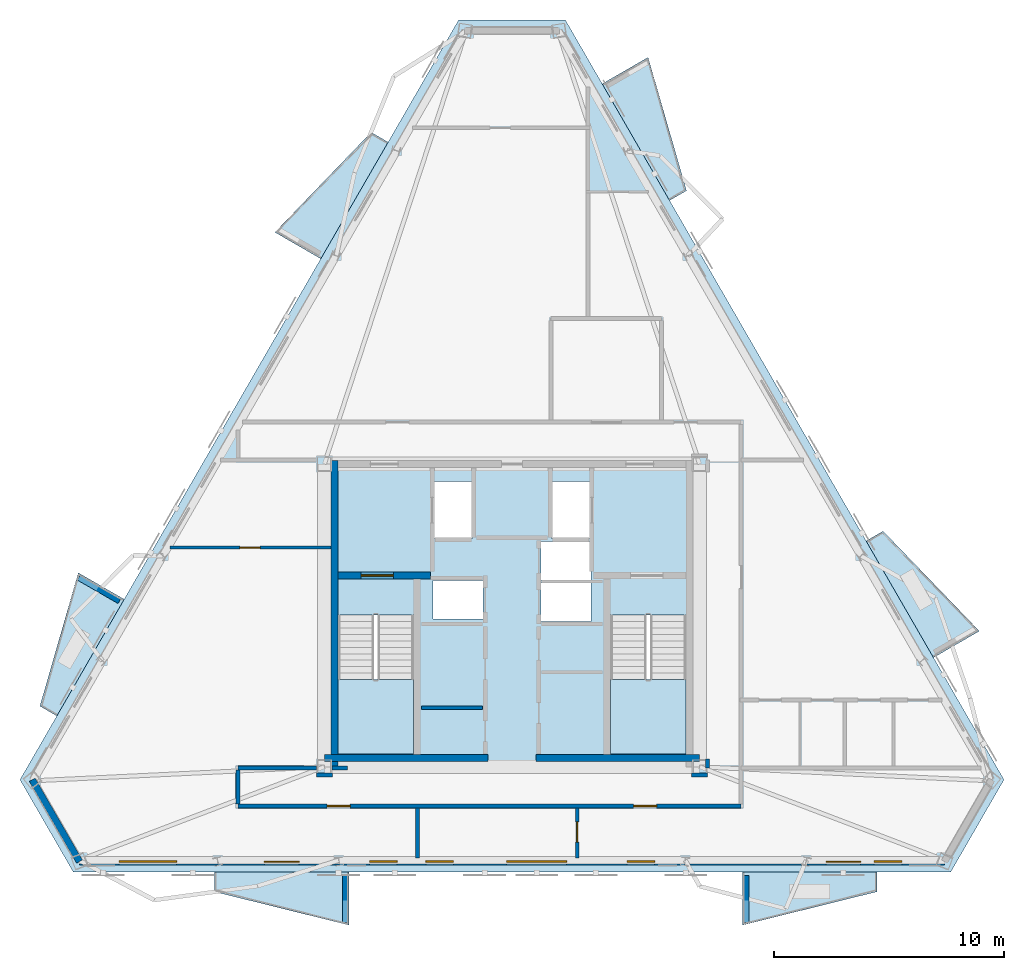
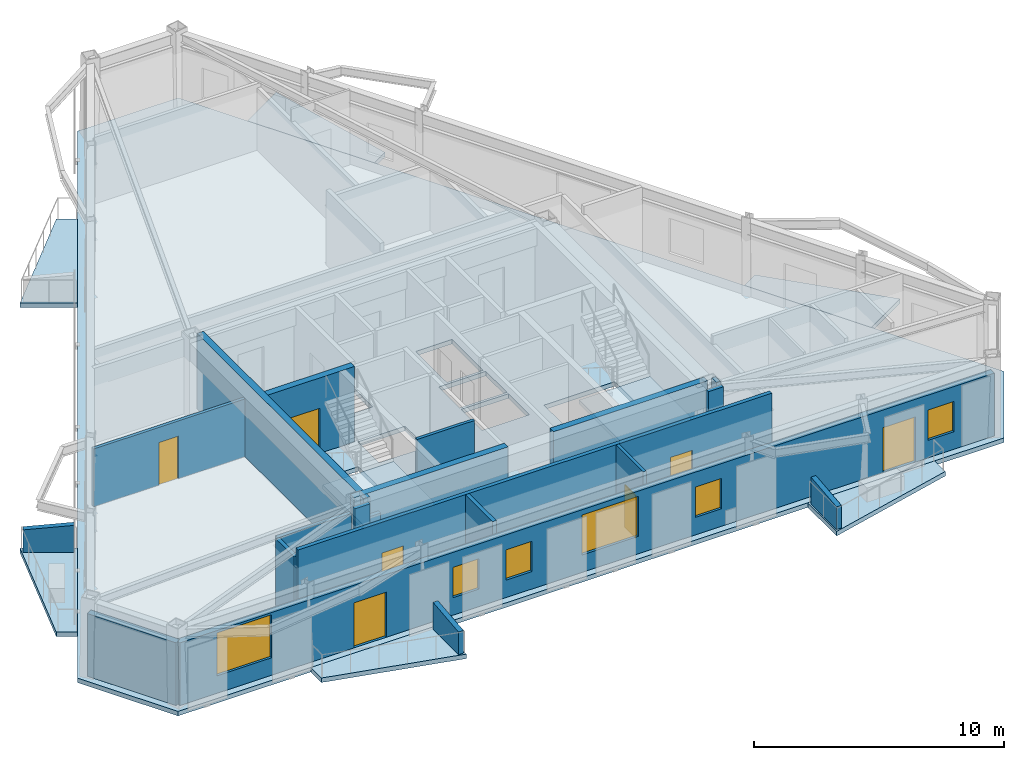
# One storey, part 2 of 9: 20 walls, 9 slabs, 7 doors, 6 windows, 13 openings, 2 elements without a shape of their own.
"""IFC4 building model written with IfcOpenShell, lengths in metres."""

from ifc_helpers import new_model, si_unit, direction, frame, frame_2d, origin, place, context, subcontext, project, spatial, polyline, rectangle, outline, extrude, material, layer, layer_set, type_object, element, fill, aggregate, save


model = new_model("IFC4")

# Units and contexts
model_context = context("Model", 3, precision=1e-05, world=origin(), true_north=direction((0.0, 1.0)))
body_context = subcontext(model_context, "Body", "Model", "MODEL_VIEW")
ifc_project = project(units=[si_unit("LENGTHUNIT", "METRE"), si_unit("AREAUNIT", "SQUARE_METRE"), si_unit("VOLUMEUNIT", "CUBIC_METRE"), si_unit("PLANEANGLEUNIT", "RADIAN"), si_unit("MASSUNIT", "GRAM", prefix="KILO")], contexts=[model_context])

# Site, building, storey
site_placement = place(None, origin())
site = spatial("IfcSite", under=ifc_project, at=site_placement, CompositionType="ELEMENT")
building_placement = place(site_placement, origin())
building = spatial("IfcBuilding", under=site, at=building_placement, Name="Oramaril Tower", CompositionType="ELEMENT")
storey_placement = place(building_placement, frame((0.0, 0.0, 292.800048828125)))
storey = spatial("IfcBuildingStorey", under=building, at=storey_placement, Name="L77", CompositionType="ELEMENT", Elevation=292.800048828125)

# Slabs
ifc_material_1 = material(Name="Concrete C40/50", Category="concrete")
ifc_layer_1 = layer(ifc_material_1, 0.199951171875)
ifc_layer_set_1 = layer_set([ifc_layer_1], Name="SLT-BAL20")
slab_type_1 = type_object("IfcSlabType", Name="SLT-BAL20", PredefinedType="FLOOR", material=ifc_layer_set_1)
slab_1_placement = place(storey_placement, frame((0.0, 0.0, -0.219970703125)))
element("IfcSlab", 1, at=slab_1_placement, inside=storey, type_object=slab_type_1, Name="L77 Cantilevered Balcony Slab L77-BAL-S1", PredefinedType="FLOOR", context=body_context, shape_type="SweptSolid", body=[
    extrude(outline(polyline([(24.57421875, 6.426513671875), (30.42431640625, 6.426513671875), (30.42431640625, 4.12451171875), (24.57421875, 5.57470703125), (24.57421875, 6.426513671875)])), origin(), (0.0, 0.0, 1.0), 0.219970703125),
])
slab_2_placement = place(storey_placement, frame((0.0, 0.0, -0.219970703125)))
element("IfcSlab", 2, at=slab_2_placement, inside=storey, type_object=slab_type_1, Name="L77 Cantilevered Balcony Slab L77-BAL-NE2", PredefinedType="FLOOR", context=body_context, shape_type="SweptSolid", body=[
    extrude(outline(polyline([(44.34130859375, 35.59765625), (41.416259765625, 40.663818359375), (43.409912109375, 41.814697265625), (45.0791015625, 36.023681640625), (44.34130859375, 35.59765625)])), origin(), (0.0, 0.0, 1.0), 0.219970703125),
])
slab_3_placement = place(storey_placement, frame((0.0, 0.0, -0.219970703125)))
element("IfcSlab", 3, at=slab_3_placement, inside=storey, type_object=slab_type_1, Name="L77 Cantilevered Balcony Slab L77-BAL-NW1", PredefinedType="FLOOR", context=body_context, shape_type="SweptSolid", body=[
    extrude(outline(polyline([(32.121337890625, 38.130615234375), (29.1962890625, 33.064453125), (27.20263671875, 34.21533203125), (31.383544921875, 38.556640625), (32.121337890625, 38.130615234375)])), origin(), (0.0, 0.0, 1.0), 0.219970703125),
])
ifc_material_2 = material(Name="Concrete C50/60", Category="concrete")
ifc_layer_2 = layer(ifc_material_2, 0.219970703125)
ifc_layer_set_2 = layer_set([ifc_layer_2], Name="SLT-FLR22")
slab_type_2 = type_object("IfcSlabType", Name="SLT-FLR22", PredefinedType="FLOOR", material=ifc_layer_set_2)
slab_4_placement = place(storey_placement, frame((0.0, 0.0, -0.219970703125)))
element("IfcSlab", 4, at=slab_4_placement, inside=storey, type_object=slab_type_2, Name="L77 Structural Floor Slab", PredefinedType="FLOOR", context=body_context, shape_type="SweptSolid", body=[
    extrude(outline(polyline([(16.13134765625, 10.439208984375), (18.44921875, 6.424560546875), (56.55078125, 6.424560546875), (58.86865234375, 10.439208984375), (39.81787109375, 43.43603515625), (35.18212890625, 43.43603515625), (16.13134765625, 10.439208984375)]), holes=[polyline([(29.949951171875, 17.58935546875), (29.949951171875, 11.550048828125), (33.219970703125, 11.550048828125), (33.219970703125, 17.58935546875), (29.949951171875, 17.58935546875)]), polyline([(41.780029296875, 17.58935546875), (41.780029296875, 11.550048828125), (45.050048828125, 11.550048828125), (45.050048828125, 17.58935546875), (41.780029296875, 17.58935546875)]), polyline([(34.110107421875, 20.909912109375), (35.7900390625, 20.909912109375), (35.7900390625, 23.389892578125), (34.110107421875, 23.389892578125), (34.110107421875, 20.909912109375)]), polyline([(39.2099609375, 20.909912109375), (40.889892578125, 20.909912109375), (40.889892578125, 23.389892578125), (39.2099609375, 23.389892578125), (39.2099609375, 20.909912109375)]), polyline([(34.06005859375, 17.409912109375), (36.239990234375, 17.409912109375), (36.239990234375, 19.090087890625), (34.06005859375, 19.090087890625), (34.06005859375, 17.409912109375)]), polyline([(38.760009765625, 17.31005859375), (40.93994140625, 17.31005859375), (40.93994140625, 18.989990234375), (38.760009765625, 18.989990234375), (38.760009765625, 17.31005859375)]), polyline([(38.760009765625, 19.110107421875), (40.93994140625, 19.110107421875), (40.93994140625, 20.7900390625), (38.760009765625, 20.7900390625), (38.760009765625, 19.110107421875)])]), origin(), (0.0, 0.0, 1.0), 0.219970703125),
])

# Stair, slab
ifc_material_3 = material(Name="Concrete C50/60", Category="concrete")
stair_type = type_object("IfcStairType", Name="STT-DG-3900", PredefinedType="HALF_TURN_STAIR", material=ifc_material_3)
stair_1_placement = place(storey_placement, origin())
stair_1 = element("IfcStair", 5, at=stair_1_placement, inside=storey, type_object=stair_type, Name="L77 Protected PFP Exit Stair ST-1", PredefinedType="HALF_TURN_STAIR")
ifc_material_4 = material(Name="Concrete C50/60", Category="concrete")
ifc_layer_3 = layer(ifc_material_4, 0.199951171875)
ifc_layer_set_3 = layer_set([ifc_layer_3], Name="SLT-LND20")
slab_type_3 = type_object("IfcSlabType", Name="SLT-LND20", PredefinedType="LANDING", material=ifc_layer_set_3)
slab_5_placement = place(storey_placement, frame((0.0, 0.0, 1.75)))
slab_5 = element("IfcSlab", 6, at=slab_5_placement, type_object=slab_type_3, Name="ST-1 landing 1", PredefinedType="LANDING", context=body_context, shape_type="SweptSolid", body=[
    extrude(outline(polyline([(29.949951171875, 14.7900390625), (29.949951171875, 11.550048828125), (33.219970703125, 11.550048828125), (33.219970703125, 14.7900390625), (29.949951171875, 14.7900390625)])), origin(), (0.0, 0.0, 1.0), 0.199951171875),
])
aggregate(stair_1, [slab_5])

stair_2_placement = place(storey_placement, origin())
stair_2 = element("IfcStair", 7, at=stair_2_placement, inside=storey, type_object=stair_type, Name="L77 Protected PFP Exit Stair ST-2", PredefinedType="HALF_TURN_STAIR")
slab_6_placement = place(storey_placement, frame((0.0, 0.0, 1.75)))
slab_6 = element("IfcSlab", 8, at=slab_6_placement, type_object=slab_type_3, Name="ST-2 landing 1", PredefinedType="LANDING", context=body_context, shape_type="SweptSolid", body=[
    extrude(outline(polyline([(41.780029296875, 14.7900390625), (41.780029296875, 11.550048828125), (45.050048828125, 11.550048828125), (45.050048828125, 14.7900390625), (41.780029296875, 14.7900390625)])), origin(), (0.0, 0.0, 1.0), 0.199951171875),
])
aggregate(stair_2, [slab_6])

# Slabs
ifc_material_5 = material(Name="Concrete C40/50", Category="concrete")
ifc_layer_4 = layer(ifc_material_5, 0.18994140625)
ifc_layer_set_4 = layer_set([ifc_layer_4], Name="SLT-PLN19")
slab_type_4 = type_object("IfcSlabType", Name="SLT-PLN19", PredefinedType="FLOOR", material=ifc_layer_set_4)
slab_7_placement = place(storey_placement, frame((0.0, 0.0, -0.219970703125)))
element("IfcSlab", 9, at=slab_7_placement, inside=storey, type_object=slab_type_4, Name="L77 Tree Planter Balcony Slab L77-BAL-S2", PredefinedType="FLOOR", context=body_context, shape_type="SweptSolid", body=[
    extrude(outline(polyline([(47.500732421875, 6.426513671875), (53.3505859375, 6.426513671875), (53.3505859375, 5.57470703125), (47.500732421875, 4.12451171875), (47.500732421875, 6.426513671875)])), origin(), (0.0, 0.0, 1.0), 0.219970703125),
])
slab_8_placement = place(storey_placement, frame((0.0, 0.0, -0.219970703125)))
element("IfcSlab", 10, at=slab_8_placement, inside=storey, type_object=slab_type_4, Name="L77 Tree Planter Balcony Slab L77-BAL-NE1", PredefinedType="FLOOR", context=body_context, shape_type="SweptSolid", body=[
    extrude(outline(polyline([(55.804443359375, 15.74267578125), (52.87939453125, 20.80908203125), (53.6171875, 21.235107421875), (57.798095703125, 16.893798828125), (55.804443359375, 15.74267578125)])), origin(), (0.0, 0.0, 1.0), 0.219970703125),
])
slab_9_placement = place(storey_placement, frame((0.0, 0.0, -0.219970703125)))
element("IfcSlab", 11, at=slab_9_placement, inside=storey, type_object=slab_type_4, Name="L77 Tree Planter Balcony Slab L77-BAL-NW2", PredefinedType="FLOOR", context=body_context, shape_type="SweptSolid", body=[
    extrude(outline(polyline([(20.658203125, 18.27587890625), (17.733154296875, 13.209716796875), (16.995361328125, 13.635498046875), (18.66455078125, 19.4267578125), (20.658203125, 18.27587890625)])), origin(), (0.0, 0.0, 1.0), 0.219970703125),
])

# Wall
ifc_material_6 = material(Name="Warm Cream Limestone", Category="masonry")
ifc_layer_5 = layer(ifc_material_6, 0.2900390625)
ifc_layer_set_5 = layer_set([ifc_layer_5], Name="WT-EXT29")
wall_type_1 = type_object("IfcWallType", Name="WT-EXT29", PredefinedType="SOLIDWALL", material=ifc_layer_set_5)
wall_1_placement = place(storey_placement, frame((16.66259765625, 10.439208984375, 0.0), z_axis=(0.0, 0.0, 1.0), x_axis=(0.499990189338, -0.866031067899, 0.0)))
element("IfcWall", 12, at=wall_1_placement, inside=storey, type_object=wall_type_1, Name="L77 Tower Limestone Facade Wall 1M", PredefinedType="SOLIDWALL", context=body_context, shape_type="SweptSolid", body=[
    extrude(rectangle(XDim=4.1044921875, YDim=0.2900390625, at=frame_2d((2.05224609375, 0.0))), origin(), (0.0, 0.0, 1.0), 3.057861328125),
])

# Wall, openings, doors, windows
wall_2_placement = place(storey_placement, frame((18.71484375, 6.884521484375, 0.0), z_axis=(0.0, 0.0, 1.0), x_axis=(1.0, 0.0, 0.0)))
wall_2 = element("IfcWall", 13, at=wall_2_placement, inside=storey, type_object=wall_type_1, Name="L77 Tower Limestone Facade Wall 2M", PredefinedType="SOLIDWALL", context=body_context, shape_type="SweptSolid", body=[
    extrude(rectangle(XDim=37.5703125, YDim=0.2900390625, at=frame_2d((18.78515625, 0.0))), origin(), (0.0, 0.0, 1.0), 3.057861328125),
])
opening_1_placement = place(wall_2_placement, frame((8.034423828125, 0.0, 0.0)))
opening_1 = element("IfcOpeningElement", 14, at=opening_1_placement, cuts=wall_2, Name="Opening D-L77-BAL-S1", PredefinedType="OPENING", context=body_context, shape_type="SweptSolid", body=[
    extrude(rectangle(XDim=1.5, YDim=2.199951171875, at=frame_2d((0.75, 1.10009765625))), frame((0.0, 0.14501953125, 0.0), z_axis=(0.0, -1.0, 0.0), x_axis=(1.0, 0.0, 0.0)), (0.0, 0.0, 1.0), 0.2900390625),
])
opening_2_placement = place(wall_2_placement, frame((32.430908203125, 0.0, 0.0)))
opening_2 = element("IfcOpeningElement", 15, at=opening_2_placement, cuts=wall_2, Name="Opening D-L77-BAL-S2", PredefinedType="OPENING", context=body_context, shape_type="SweptSolid", body=[
    extrude(rectangle(XDim=1.5, YDim=2.199951171875, at=frame_2d((0.75, 1.10009765625))), frame((0.0, 0.14501953125, 0.0), z_axis=(0.0, -1.0, 0.0), x_axis=(1.0, 0.0, 0.0)), (0.0, 0.0, 1.0), 0.2900390625),
])
opening_3_placement = place(wall_2_placement, frame((23.7802734375, 0.0, 0.85009765625)))
opening_3 = element("IfcOpeningElement", 16, at=opening_3_placement, cuts=wall_2, Name="Opening WN-09", PredefinedType="OPENING", context=body_context, shape_type="SweptSolid", body=[
    extrude(rectangle(XDim=1.199951171875, YDim=1.47998046875, at=frame_2d((0.60009765625, 0.739990234375))), frame((0.0, 0.14501953125, 0.0), z_axis=(0.0, -1.0, 0.0), x_axis=(1.0, 0.0, 0.0)), (0.0, 0.0, 1.0), 0.2900390625),
])
opening_4_placement = place(wall_2_placement, frame((34.514892578125, 0.0, 0.85009765625)))
opening_4 = element("IfcOpeningElement", 17, at=opening_4_placement, cuts=wall_2, Name="Opening WN-09", PredefinedType="OPENING", context=body_context, shape_type="SweptSolid", body=[
    extrude(rectangle(XDim=1.199951171875, YDim=1.47998046875, at=frame_2d((0.60009765625, 0.739990234375))), frame((0.0, 0.14501953125, 0.0), z_axis=(0.0, -1.0, 0.0), x_axis=(1.0, 0.0, 0.0)), (0.0, 0.0, 1.0), 0.2900390625),
])
opening_5_placement = place(wall_2_placement, frame((15.04248046875, 0.0, 0.85009765625)))
opening_5 = element("IfcOpeningElement", 18, at=opening_5_placement, cuts=wall_2, Name="Opening WN-09", PredefinedType="OPENING", context=body_context, shape_type="SweptSolid", body=[
    extrude(rectangle(XDim=1.199951171875, YDim=1.47998046875, at=frame_2d((0.60009765625, 0.739990234375))), frame((0.0, 0.14501953125, 0.0), z_axis=(0.0, -1.0, 0.0), x_axis=(1.0, 0.0, 0.0)), (0.0, 0.0, 1.0), 0.2900390625),
])
opening_6_placement = place(wall_2_placement, frame((18.553955078125, 0.0, 0.85009765625)))
opening_6 = element("IfcOpeningElement", 19, at=opening_6_placement, cuts=wall_2, Name="Opening WN-02", PredefinedType="OPENING", context=body_context, shape_type="SweptSolid", body=[
    extrude(rectangle(XDim=2.60009765625, YDim=1.949951171875, at=frame_2d((1.300048828125, 0.97509765625))), frame((0.0, 0.14501953125, 0.0), z_axis=(0.0, -1.0, 0.0), x_axis=(1.0, 0.0, 0.0)), (0.0, 0.0, 1.0), 0.2900390625),
])
opening_7_placement = place(wall_2_placement, frame((1.723388671875, 0.0, 0.85009765625)))
opening_7 = element("IfcOpeningElement", 20, at=opening_7_placement, cuts=wall_2, Name="Opening WN-11", PredefinedType="OPENING", context=body_context, shape_type="SweptSolid", body=[
    extrude(rectangle(XDim=2.5, YDim=2.097900390625, at=frame_2d((1.25, 1.048828125))), frame((0.0, 0.14501953125, 0.0), z_axis=(0.0, -1.0, 0.0), x_axis=(1.0, 0.0, 0.0)), (0.0, 0.0, 1.0), 0.2900390625),
])
opening_8_placement = place(wall_2_placement, frame((12.599365234375, 0.0, 0.85009765625)))
opening_8 = element("IfcOpeningElement", 21, at=opening_8_placement, cuts=wall_2, Name="Opening WN-09", PredefinedType="OPENING", context=body_context, shape_type="SweptSolid", body=[
    extrude(rectangle(XDim=1.199951171875, YDim=1.47998046875, at=frame_2d((0.60009765625, 0.739990234375))), frame((0.0, 0.14501953125, 0.0), z_axis=(0.0, -1.0, 0.0), x_axis=(1.0, 0.0, 0.0)), (0.0, 0.0, 1.0), 0.2900390625),
])
ifc_material_7 = material(Name="Anodised Aluminium 6063-T6", Category="aluminium")
door_type_1 = type_object("IfcDoorType", Name="DT-BAL", OperationType="NOTDEFINED", PredefinedType="DOOR", material=ifc_material_7)
door_1_placement = place(opening_1_placement, origin())
door_1 = element("IfcDoor", 22, at=door_1_placement, inside=storey, type_object=door_type_1, Name="L77 Balcony Glazed Door L77-BAL-S1", OperationType="SINGLE_SWING_RIGHT", OverallHeight=2.199951171875, OverallWidth=1.5, PredefinedType="DOOR", context=body_context, shape_type="SweptSolid", body=[
    extrude(rectangle(XDim=1.5, YDim=2.199951171875, at=frame_2d((0.75, 1.10009765625))), frame((0.0, 0.02490234375, 0.0), z_axis=(0.0, -1.0, 0.0), x_axis=(1.0, 0.0, 0.0)), (0.0, 0.0, 1.0), 0.050048828125),
])
fill(opening_1, door_1)
door_2_placement = place(opening_2_placement, origin())
door_2 = element("IfcDoor", 23, at=door_2_placement, inside=storey, type_object=door_type_1, Name="L77 Balcony Glazed Door L77-BAL-S2", OperationType="SINGLE_SWING_LEFT", OverallHeight=2.199951171875, OverallWidth=1.5, PredefinedType="DOOR", context=body_context, shape_type="SweptSolid", body=[
    extrude(rectangle(XDim=1.5, YDim=2.199951171875, at=frame_2d((0.75, 1.10009765625))), frame((0.0, 0.02490234375, 0.0), z_axis=(0.0, -1.0, 0.0), x_axis=(1.0, 0.0, 0.0)), (0.0, 0.0, 1.0), 0.050048828125),
])
fill(opening_2, door_2)
ifc_material_8 = material(Name="Coastal Low-E Insulated Glass", Category="glass")
window_type_1 = type_object("IfcWindowType", Name="WNT-02", PartitioningType="SINGLE_PANEL", PredefinedType="WINDOW", material=ifc_material_8)
window_1_placement = place(opening_6_placement, origin())
window_1 = element("IfcWindow", 24, at=window_1_placement, inside=storey, type_object=window_type_1, Name="L77 Chicago Bay Window WN-02", OverallHeight=1.949951171875, OverallWidth=2.60009765625, PartitioningType="SINGLE_PANEL", PredefinedType="WINDOW", context=body_context, shape_type="SweptSolid", body=[
    extrude(rectangle(XDim=2.60009765625, YDim=1.949951171875, at=frame_2d((1.300048828125, 0.97509765625))), frame((0.0, 0.030029296875, 0.0), z_axis=(0.0, -1.0, 0.0), x_axis=(1.0, 0.0, 0.0)), (0.0, 0.0, 1.0), 0.06005859375),
])
fill(opening_6, window_1)
ifc_material_9 = material(Name="Coastal Low-E Insulated Glass", Category="glass")
window_type_2 = type_object("IfcWindowType", Name="WNT-09", PartitioningType="SINGLE_PANEL", PredefinedType="WINDOW", material=ifc_material_9)
window_2_placement = place(opening_3_placement, origin())
window_2 = element("IfcWindow", 25, at=window_2_placement, inside=storey, type_object=window_type_2, Name="L77 Chicago Bay Window WN-09", OverallHeight=1.47998046875, OverallWidth=1.199951171875, PartitioningType="SINGLE_PANEL", PredefinedType="WINDOW", context=body_context, shape_type="SweptSolid", body=[
    extrude(rectangle(XDim=1.199951171875, YDim=1.47998046875, at=frame_2d((0.60009765625, 0.739990234375))), frame((0.0, 0.030029296875, 0.0), z_axis=(0.0, -1.0, 0.0), x_axis=(1.0, 0.0, 0.0)), (0.0, 0.0, 1.0), 0.06005859375),
])
fill(opening_3, window_2)
window_3_placement = place(opening_4_placement, origin())
window_3 = element("IfcWindow", 26, at=window_3_placement, inside=storey, type_object=window_type_2, Name="L77 Chicago Bay Window WN-09", OverallHeight=1.47998046875, OverallWidth=1.199951171875, PartitioningType="SINGLE_PANEL", PredefinedType="WINDOW", context=body_context, shape_type="SweptSolid", body=[
    extrude(rectangle(XDim=1.199951171875, YDim=1.47998046875, at=frame_2d((0.60009765625, 0.739990234375))), frame((0.0, 0.030029296875, 0.0), z_axis=(0.0, -1.0, 0.0), x_axis=(1.0, 0.0, 0.0)), (0.0, 0.0, 1.0), 0.06005859375),
])
fill(opening_4, window_3)
window_4_placement = place(opening_5_placement, origin())
window_4 = element("IfcWindow", 27, at=window_4_placement, inside=storey, type_object=window_type_2, Name="L77 Chicago Bay Window WN-09", OverallHeight=1.47998046875, OverallWidth=1.199951171875, PartitioningType="SINGLE_PANEL", PredefinedType="WINDOW", context=body_context, shape_type="SweptSolid", body=[
    extrude(rectangle(XDim=1.199951171875, YDim=1.47998046875, at=frame_2d((0.60009765625, 0.739990234375))), frame((0.0, 0.030029296875, 0.0), z_axis=(0.0, -1.0, 0.0), x_axis=(1.0, 0.0, 0.0)), (0.0, 0.0, 1.0), 0.06005859375),
])
fill(opening_5, window_4)
window_5_placement = place(opening_8_placement, origin())
window_5 = element("IfcWindow", 28, at=window_5_placement, inside=storey, type_object=window_type_2, Name="L77 Chicago Bay Window WN-09", OverallHeight=1.47998046875, OverallWidth=1.199951171875, PartitioningType="SINGLE_PANEL", PredefinedType="WINDOW", context=body_context, shape_type="SweptSolid", body=[
    extrude(rectangle(XDim=1.199951171875, YDim=1.47998046875, at=frame_2d((0.60009765625, 0.739990234375))), frame((0.0, 0.030029296875, 0.0), z_axis=(0.0, -1.0, 0.0), x_axis=(1.0, 0.0, 0.0)), (0.0, 0.0, 1.0), 0.06005859375),
])
fill(opening_8, window_5)
ifc_material_10 = material(Name="Coastal Low-E Insulated Glass", Category="glass")
window_type_3 = type_object("IfcWindowType", Name="WNT-11", PartitioningType="SINGLE_PANEL", PredefinedType="WINDOW", material=ifc_material_10)
window_6_placement = place(opening_7_placement, origin())
window_6 = element("IfcWindow", 29, at=window_6_placement, inside=storey, type_object=window_type_3, Name="L77 Chicago Bay Window WN-11", OverallHeight=2.097900390625, OverallWidth=2.5, PartitioningType="SINGLE_PANEL", PredefinedType="WINDOW", context=body_context, shape_type="SweptSolid", body=[
    extrude(rectangle(XDim=2.5, YDim=2.097900390625, at=frame_2d((1.25, 1.048828125))), frame((0.0, 0.030029296875, 0.0), z_axis=(0.0, -1.0, 0.0), x_axis=(1.0, 0.0, 0.0)), (0.0, 0.0, 1.0), 0.06005859375),
])
fill(opening_7, window_6)

# Walls
ifc_material_11 = material(Name="Concrete C40/50", Category="concrete")
ifc_layer_6 = layer(ifc_material_11, 0.22998046875)
ifc_layer_set_6 = layer_set([ifc_layer_6], Name="WT-PRP23")
wall_type_2 = type_object("IfcWallType", Name="WT-PRP23", PredefinedType="PARAPET", material=ifc_layer_set_6)
for number, where, z_axis, x_axis, name in (
    (30, (30.244384765625, 6.28662109375, 0.0), (0.0, 0.0, 1.0), (0.0, -1.0, 0.0), "L77 Trapezoidal Balcony Frame Cheek L77-BAL-S1-R"),
    (31, (47.6806640625, 6.28662109375, 0.0), (0.0, 0.0, 1.0), (0.0, -1.0, 0.0), "L77 Trapezoidal Balcony Frame Cheek L77-BAL-S2-L"),
    (32, (20.447021484375, 18.18994140625, 0.0), (0.0, 0.0, 1.0), (-0.866042246008, 0.499970827278, 0.0), "L77 Trapezoidal Balcony Frame Cheek L77-BAL-NW2-L"),
):
    element("IfcWall", number, at=place(storey_placement, frame(where, z_axis=z_axis, x_axis=x_axis)), inside=storey, type_object=wall_type_2, Name=name, PredefinedType="PARAPET", context=body_context, shape_type="SweptSolid", body=[
        extrude(outline(polyline([(0.0, 0.0), (2.0419921875, 0.0), (2.0419921875, 1.099853515625), (0.0, 1.320068359375), (0.0, 0.0)])), frame((0.0, 0.114990234375, 0.0), z_axis=(0.0, -1.0, 0.0), x_axis=(1.0, 0.0, 0.0)), (0.0, 0.0, 1.0), 0.22998046875),
    ])
ifc_material_12 = material(Name="Acoustic Gypsum Board Partition")
ifc_layer_7 = layer(ifc_material_12, 0.139892578125)
ifc_layer_set_7 = layer_set([ifc_layer_7], Name="WT-PT14")
wall_type_3 = type_object("IfcWallType", Name="WT-PT14", PredefinedType="PARTITIONING", material=ifc_layer_set_7)
wall_3_placement = place(storey_placement, frame((33.56005859375, 13.570068359375, 0.0), z_axis=(0.0, 0.0, 1.0), x_axis=(1.0, 0.0, 0.0)))
element("IfcWall", 33, at=wall_3_placement, inside=storey, type_object=wall_type_3, Name="L77 Freed Shaft Divider", PredefinedType="PARTITIONING", context=body_context, shape_type="SweptSolid", body=[
    extrude(rectangle(XDim=2.659912109375, YDim=0.139892578125, at=frame_2d((1.330078125, 0.0))), origin(), (0.0, 0.0, 1.0), 3.679931640625),
])

# Wall, opening, door
wall_4_placement = place(storey_placement, frame((22.65478515625, 20.52001953125, 0.0), z_axis=(0.0, 0.0, 1.0), x_axis=(1.0, 0.0, 0.0)))
wall_4 = element("IfcWall", 34, at=wall_4_placement, inside=storey, type_object=wall_type_3, Name="L77 Interior Partition PT-14", PredefinedType="PARTITIONING", context=body_context, shape_type="SweptSolid", body=[
    extrude(rectangle(XDim=6.981201171875, YDim=0.139892578125, at=frame_2d((3.49072265625, 0.0))), origin(), (0.0, 0.0, 1.0), 2.820068359375),
])
opening_9_placement = place(wall_4_placement, frame((3.021728515625, 0.0, 0.0)))
opening_9 = element("IfcOpeningElement", 35, at=opening_9_placement, cuts=wall_4, Name="Opening D-L77-07", PredefinedType="OPENING", context=body_context, shape_type="SweptSolid", body=[
    extrude(rectangle(XDim=0.8798828125, YDim=2.080078125, at=frame_2d((0.43994140625, 1.0400390625))), frame((0.0, 0.06982421875, 0.0), z_axis=(0.0, -1.0, 0.0), x_axis=(1.0, 0.0, 0.0)), (0.0, 0.0, 1.0), 0.139892578125),
])
ifc_material_13 = material(Name="FSC Brazilian Freijo Hardwood", Category="wood")
door_type_2 = type_object("IfcDoorType", Name="DT-BATH", OperationType="NOTDEFINED", PredefinedType="DOOR", material=ifc_material_13)
door_3_placement = place(opening_9_placement, origin())
door_3 = element("IfcDoor", 36, at=door_3_placement, inside=storey, type_object=door_type_2, Name="L77 Flat L77-U2 Bathroom Door D-L77-07", OperationType="SINGLE_SWING_RIGHT", OverallHeight=2.080078125, OverallWidth=0.8798828125, PredefinedType="DOOR", context=body_context, shape_type="SweptSolid", body=[
    extrude(rectangle(XDim=0.8798828125, YDim=2.080078125, at=frame_2d((0.43994140625, 1.0400390625))), frame((0.0, 0.02490234375, 0.0), z_axis=(0.0, -1.0, 0.0), x_axis=(1.0, 0.0, 0.0)), (0.0, 0.0, 1.0), 0.050048828125),
])
fill(opening_9, door_3)

wall_5_placement = place(storey_placement, frame((40.330078125, 7.03369140625, 0.0), z_axis=(0.0, 0.0, 1.0), x_axis=(0.0, 1.0, 0.0)))
wall_5 = element("IfcWall", 37, at=wall_5_placement, inside=storey, type_object=wall_type_3, Name="L77 Interior Partition PT-14", PredefinedType="PARTITIONING", context=body_context, shape_type="SweptSolid", body=[
    extrude(rectangle(XDim=2.17236328125, YDim=0.139892578125, at=frame_2d((1.086181640625, 0.0))), origin(), (0.0, 0.0, 1.0), 3.679931640625),
])
opening_10_placement = place(wall_5_placement, frame((0.693603515625, 0.0, 0.0)))
opening_10 = element("IfcOpeningElement", 38, at=opening_10_placement, cuts=wall_5, Name="Opening D-L77-13", PredefinedType="OPENING", context=body_context, shape_type="SweptSolid", body=[
    extrude(rectangle(XDim=0.8798828125, YDim=2.080078125, at=frame_2d((0.43994140625, 1.0400390625))), frame((0.0, 0.06982421875, 0.0), z_axis=(0.0, -1.0, 0.0), x_axis=(1.0, 0.0, 0.0)), (0.0, 0.0, 1.0), 0.139892578125),
])
door_4_placement = place(opening_10_placement, origin())
door_4 = element("IfcDoor", 39, at=door_4_placement, inside=storey, type_object=door_type_2, Name="L77 Flat L77-U1 Bathroom Door D-L77-13", OperationType="SINGLE_SWING_RIGHT", OverallHeight=2.080078125, OverallWidth=0.8798828125, PredefinedType="DOOR", context=body_context, shape_type="SweptSolid", body=[
    extrude(rectangle(XDim=0.8798828125, YDim=2.080078125, at=frame_2d((0.43994140625, 1.0400390625))), frame((0.0, 0.02490234375, 0.0), z_axis=(0.0, -1.0, 0.0), x_axis=(1.0, 0.0, 0.0)), (0.0, 0.0, 1.0), 0.050048828125),
])
fill(opening_10, door_4)

# Wall, openings, doors
ifc_material_14 = material(Name="Autoclaved Cellular Concrete Block", Category="concrete")
ifc_layer_8 = layer(ifc_material_14, 0.179931640625)
ifc_layer_set_8 = layer_set([ifc_layer_8], Name="WT-PT18")
wall_type_4 = type_object("IfcWallType", Name="WT-PT18", PredefinedType="PARTITIONING", material=ifc_layer_set_8)
wall_6_placement = place(storey_placement, frame((25.60009765625, 9.300048828125, 0.0), z_axis=(0.0, 0.0, 1.0), x_axis=(1.0, 0.0, 0.0)))
wall_6 = element("IfcWall", 40, at=wall_6_placement, inside=storey, type_object=wall_type_4, Name="L77 Interior Partition PT-18", PredefinedType="PARTITIONING", context=body_context, shape_type="SweptSolid", body=[
    extrude(rectangle(XDim=21.849853515625, YDim=0.179931640625, at=frame_2d((10.9248046875, 0.0))), origin(), (0.0, 0.0, 1.0), 3.679931640625),
])
opening_11_placement = place(wall_6_placement, frame((3.868408203125, 0.0, 0.0)))
opening_11 = element("IfcOpeningElement", 41, at=opening_11_placement, cuts=wall_6, Name="Opening D-L77-01", PredefinedType="OPENING", context=body_context, shape_type="SweptSolid", body=[
    extrude(rectangle(XDim=1.0, YDim=2.179931640625, at=frame_2d((0.5, 1.08984375))), frame((0.0, 0.08984375, 0.0), z_axis=(0.0, -1.0, 0.0), x_axis=(1.0, 0.0, 0.0)), (0.0, 0.0, 1.0), 0.179931640625),
])
opening_12_placement = place(wall_6_placement, frame((17.18310546875, 0.0, 0.0)))
opening_12 = element("IfcOpeningElement", 42, at=opening_12_placement, cuts=wall_6, Name="Opening D-L77-02", PredefinedType="OPENING", context=body_context, shape_type="SweptSolid", body=[
    extrude(rectangle(XDim=1.0, YDim=2.179931640625, at=frame_2d((0.5, 1.08984375))), frame((0.0, 0.08984375, 0.0), z_axis=(0.0, -1.0, 0.0), x_axis=(1.0, 0.0, 0.0)), (0.0, 0.0, 1.0), 0.179931640625),
])
ifc_material_15 = material(Name="FSC Brazilian Freijo Hardwood", Category="wood")
door_type_3 = type_object("IfcDoorType", Name="DT-APT", OperationType="NOTDEFINED", PredefinedType="DOOR", material=ifc_material_15)
door_5_placement = place(opening_11_placement, origin())
door_5 = element("IfcDoor", 43, at=door_5_placement, inside=storey, type_object=door_type_3, Name="L77 Flat L77-U2 Kitchen and Studio Apartment Door D-L77-01", OperationType="SINGLE_SWING_RIGHT", OverallHeight=2.179931640625, OverallWidth=1.0, PredefinedType="DOOR", context=body_context, shape_type="SweptSolid", body=[
    extrude(rectangle(XDim=1.0, YDim=2.179931640625, at=frame_2d((0.5, 1.08984375))), frame((0.0, 0.02490234375, 0.0), z_axis=(0.0, -1.0, 0.0), x_axis=(1.0, 0.0, 0.0)), (0.0, 0.0, 1.0), 0.050048828125),
])
fill(opening_11, door_5)
door_6_placement = place(opening_12_placement, origin())
door_6 = element("IfcDoor", 44, at=door_6_placement, inside=storey, type_object=door_type_3, Name="L77 Flat L77-U1 Kitchen and Studio Apartment Door D-L77-02", OperationType="SINGLE_SWING_LEFT", OverallHeight=2.179931640625, OverallWidth=1.0, PredefinedType="DOOR", context=body_context, shape_type="SweptSolid", body=[
    extrude(rectangle(XDim=1.0, YDim=2.179931640625, at=frame_2d((0.5, 1.08984375))), frame((0.0, 0.02490234375, 0.0), z_axis=(0.0, -1.0, 0.0), x_axis=(1.0, 0.0, 0.0)), (0.0, 0.0, 1.0), 0.050048828125),
])
fill(opening_12, door_6)

# Walls
for number, where, z_axis, x_axis, name in (
    (45, (29.0048828125, 10.64990234375, 0.0), (0.0, 0.0, 1.0), (1.0, 0.0, 0.0), "L77 Interior Partition PT-18"),
    (46, (45.304931640625, 10.64990234375, 0.0), (0.0, 0.0, 1.0), (1.0, 0.0, 0.0), "L77 Interior Partition PT-18"),
):
    element("IfcWall", number, at=place(storey_placement, frame(where, z_axis=z_axis, x_axis=x_axis)), inside=storey, type_object=wall_type_4, Name=name, PredefinedType="PARTITIONING", context=body_context, shape_type="SweptSolid", body=[
        extrude(rectangle(XDim=0.690185546875, YDim=0.179931640625, at=frame_2d((0.34521484375, 0.0))), origin(), (0.0, 0.0, 1.0), 3.679931640625),
    ])
wall_7_placement = place(storey_placement, frame((25.60009765625, 10.949951171875, 0.0), z_axis=(0.0, 0.0, 1.0), x_axis=(1.0, 0.0, 0.0)))
element("IfcWall", 47, at=wall_7_placement, inside=storey, type_object=wall_type_4, Name="L77 Interior Partition PT-18", PredefinedType="PARTITIONING", context=body_context, shape_type="SweptSolid", body=[
    extrude(rectangle(XDim=3.409912109375, YDim=0.179931640625, at=frame_2d((1.705078125, 0.0))), origin(), (0.0, 0.0, 1.0), 3.265869140625),
])
wall_8_placement = place(storey_placement, frame((29.68994140625, 10.949951171875, 0.0), z_axis=(0.0, 0.0, 1.0), x_axis=(1.0, 0.0, 0.0)))
element("IfcWall", 48, at=wall_8_placement, inside=storey, type_object=wall_type_4, Name="L77 Interior Partition PT-18", PredefinedType="PARTITIONING", context=body_context, shape_type="SweptSolid", body=[
    extrude(rectangle(XDim=0.6650390625, YDim=0.179931640625, at=frame_2d((0.33251953125, 0.0))), origin(), (0.0, 0.0, 1.0), 2.820068359375),
])
wall_9_placement = place(storey_placement, frame((25.60009765625, 9.39404296875, 0.0), z_axis=(0.0, 0.0, 1.0), x_axis=(0.0, 1.0, 0.0)))
element("IfcWall", 49, at=wall_9_placement, inside=storey, type_object=wall_type_4, Name="L77 Interior Partition PT-18", PredefinedType="PARTITIONING", context=body_context, shape_type="SweptSolid", body=[
    extrude(rectangle(XDim=1.4619140625, YDim=0.179931640625, at=frame_2d((0.73095703125, 0.0))), origin(), (0.0, 0.0, 1.0), 3.265869140625),
])
wall_10_placement = place(storey_placement, frame((33.39990234375, 7.03369140625, 0.0), z_axis=(0.0, 0.0, 1.0), x_axis=(0.0, 1.0, 0.0)))
element("IfcWall", 50, at=wall_10_placement, inside=storey, type_object=wall_type_4, Name="L77 Interior Partition PT-18", PredefinedType="PARTITIONING", context=body_context, shape_type="SweptSolid", body=[
    extrude(rectangle(XDim=2.17236328125, YDim=0.179931640625, at=frame_2d((1.086181640625, 0.0))), origin(), (0.0, 0.0, 1.0), 3.679931640625),
])
wall_11_placement = place(storey_placement, frame((45.989990234375, 10.949951171875, 0.0), z_axis=(0.0, 0.0, 1.0), x_axis=(0.0, 1.0, 0.0)))
element("IfcWall", 51, at=wall_11_placement, inside=storey, type_object=wall_type_4, Name="L77 Interior Partition PT-18", PredefinedType="PARTITIONING", context=body_context, shape_type="SweptSolid", body=[
    extrude(rectangle(XDim=0.39013671875, YDim=0.179931640625, at=frame_2d((0.195068359375, 0.0))), origin(), (0.0, 0.0, 1.0), 3.679931640625),
])
ifc_material_16 = material(Name="Concrete C50/60", Category="concrete")
ifc_layer_9 = layer(ifc_material_16, 0.300048828125)
ifc_layer_set_9 = layer_set([ifc_layer_9], Name="WT-SH30")
wall_type_5 = type_object("IfcWallType", Name="WT-SH30", PredefinedType="SHEAR", material=ifc_layer_set_9)
wall_12_placement = place(storey_placement, frame((29.7900390625, 11.0, 0.0), z_axis=(0.0, 0.0, 1.0), x_axis=(0.0, 1.0, 0.0)))
element("IfcWall", 52, at=wall_12_placement, inside=storey, type_object=wall_type_5, Name="L77 Core Shear Wall CW-W", PredefinedType="SHEAR", context=body_context, shape_type="SweptSolid", body=[
    extrude(rectangle(XDim=13.300048828125, YDim=0.300048828125, at=frame_2d((6.64990234375, 0.0))), origin(), (0.0, 0.0, 1.0), 3.679931640625),
])
for number, where, z_axis, x_axis, name in (
    (53, (29.35009765625, 11.389892578125, 0.0), (0.0, 0.0, 1.0), (1.0, 0.0, 0.0), "L77 Core Shear Wall CW-SW"),
    (54, (38.550048828125, 11.389892578125, 0.0), (0.0, 0.0, 1.0), (1.0, 0.0, 0.0), "L77 Core Shear Wall CW-SE"),
):
    element("IfcWall", number, at=place(storey_placement, frame(where, z_axis=z_axis, x_axis=x_axis)), inside=storey, type_object=wall_type_5, Name=name, PredefinedType="SHEAR", context=body_context, shape_type="SweptSolid", body=[
        extrude(rectangle(XDim=7.099853515625, YDim=0.300048828125, at=frame_2d((3.5498046875, 0.0))), origin(), (0.0, 0.0, 1.0), 3.679931640625),
    ])

# Wall, opening, door
wall_13_placement = place(storey_placement, frame((29.93994140625, 19.31005859375, 0.0), z_axis=(0.0, 0.0, 1.0), x_axis=(1.0, 0.0, 0.0)))
wall_13 = element("IfcWall", 55, at=wall_13_placement, inside=storey, type_object=wall_type_5, Name="L77 Core Shear Wall CW-ST1N", PredefinedType="SHEAR", context=body_context, shape_type="SweptSolid", body=[
    extrude(rectangle(XDim=4.010009765625, YDim=0.300048828125, at=frame_2d((2.0048828125, 0.0))), origin(), (0.0, 0.0, 1.0), 3.679931640625),
])
opening_13_placement = place(wall_13_placement, frame((1.010009765625, 0.0, 0.0)))
opening_13 = element("IfcOpeningElement", 56, at=opening_13_placement, cuts=wall_13, Name="Opening D-L77-ST1", PredefinedType="OPENING", context=body_context, shape_type="SweptSolid", body=[
    extrude(rectangle(XDim=1.39990234375, YDim=2.199951171875, at=frame_2d((0.699951171875, 1.10009765625))), frame((0.0, 0.14990234375, 0.0), z_axis=(0.0, -1.0, 0.0), x_axis=(1.0, 0.0, 0.0)), (0.0, 0.0, 1.0), 0.300048828125),
])
ifc_material_17 = material(Name="Painted Galvanised Steel", Category="steel")
door_type_4 = type_object("IfcDoorType", Name="DT-ST", OperationType="NOTDEFINED", PredefinedType="DOOR", material=ifc_material_17)
door_7_placement = place(opening_13_placement, origin())
door_7 = element("IfcDoor", 57, at=door_7_placement, inside=storey, type_object=door_type_4, Name="L77 Protected Stair ST-1 Fire Door", OperationType="SINGLE_SWING_LEFT", OverallHeight=2.199951171875, OverallWidth=1.39990234375, PredefinedType="DOOR", context=body_context, shape_type="SweptSolid", body=[
    extrude(rectangle(XDim=1.39990234375, YDim=2.199951171875, at=frame_2d((0.699951171875, 1.10009765625))), frame((0.0, 0.02490234375, 0.0), z_axis=(0.0, -1.0, 0.0), x_axis=(1.0, 0.0, 0.0)), (0.0, 0.0, 1.0), 0.050048828125),
])
fill(opening_13, door_7)

save(model, "model.ifc")
